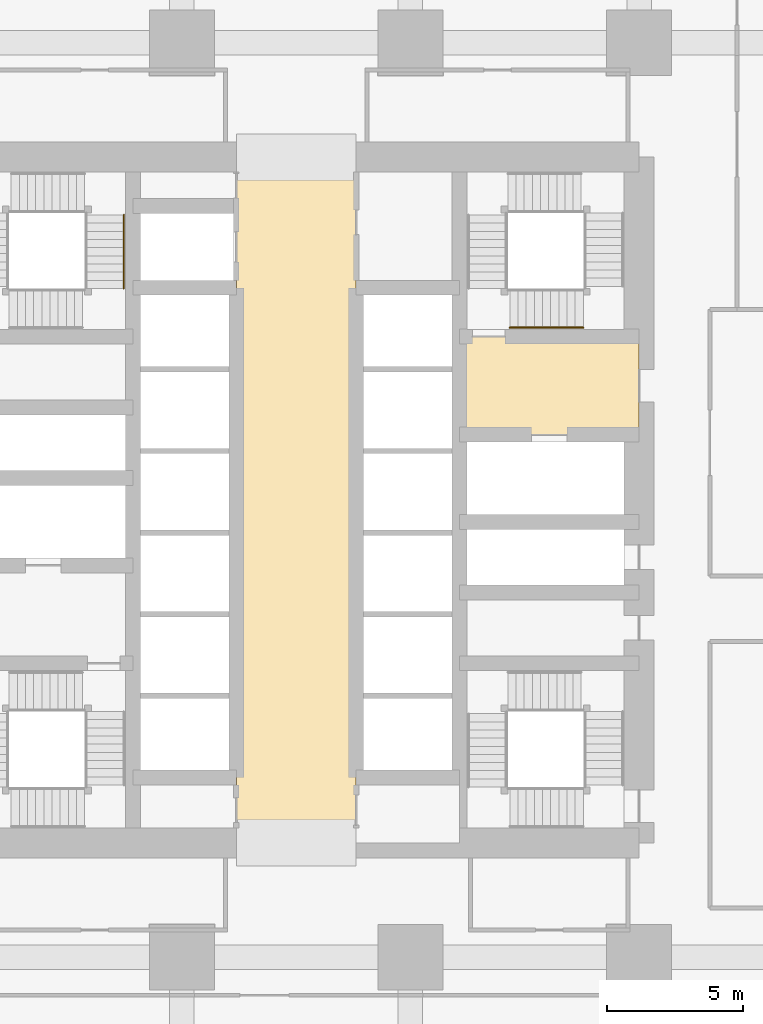
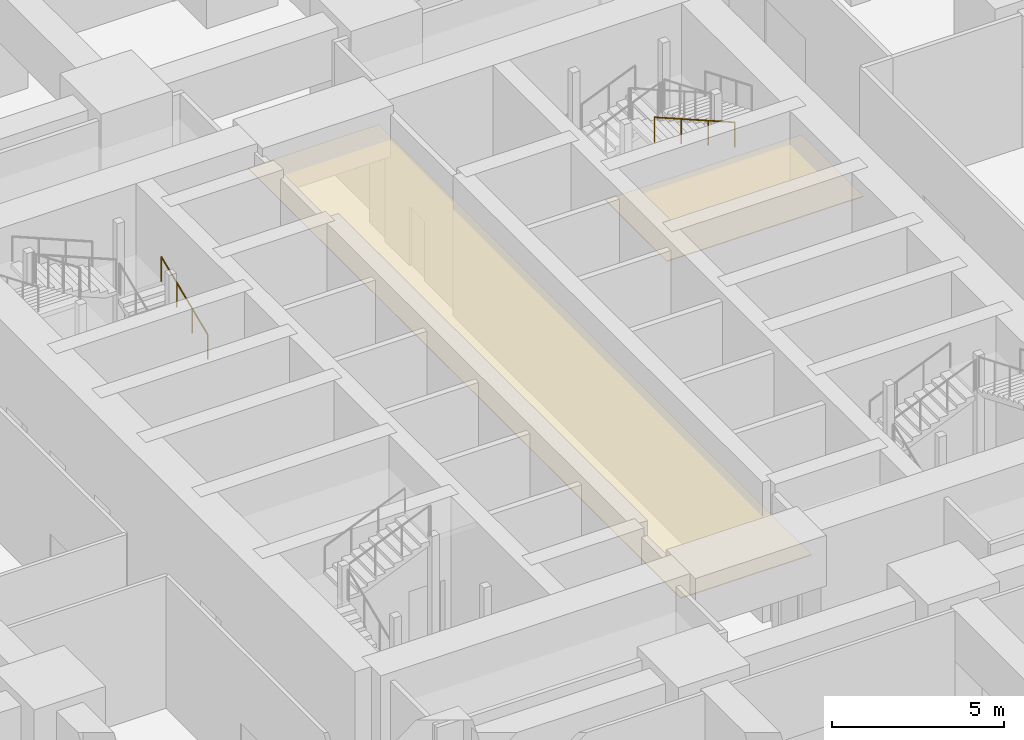
# One storey, part 47 of 49: 2 coverings, 2 railings.
"""IFC4 building model written with IfcOpenShell, lengths in metres."""

from ifc_helpers import new_model, si_unit, direction, frame, origin, origin_2d, place, context, subcontext, project, spatial, polyline, circle, outline, extrude, material, layer, layer_set, type_object, element, save


model = new_model("IFC4")

# Units and contexts
model_context = context("Model", 3, precision=1e-05, world=origin(), true_north=direction((0.0, 1.0)))
body_context = subcontext(model_context, "Body", "Model", "MODEL_VIEW")
ifc_project = project(units=[si_unit("LENGTHUNIT", "METRE"), si_unit("AREAUNIT", "SQUARE_METRE"), si_unit("VOLUMEUNIT", "CUBIC_METRE"), si_unit("PLANEANGLEUNIT", "RADIAN"), si_unit("MASSUNIT", "GRAM", prefix="KILO")], contexts=[model_context])

# Site, building, storey
site_placement = place(None, origin())
site = spatial("IfcSite", under=ifc_project, at=site_placement, CompositionType="ELEMENT")
building_placement = place(site_placement, origin())
building = spatial("IfcBuilding", under=site, at=building_placement, Name="Rekha Terrace Tower", CompositionType="ELEMENT")
storey_placement = place(building_placement, frame((0.0, 0.0, 5.39990234375)))
storey = spatial("IfcBuildingStorey", under=building, at=storey_placement, Name="L01", CompositionType="ELEMENT", Elevation=5.39990234375)

# Coverings
ifc_material_1 = material(Name="Powder-coated aluminium pan", Category="aluminium")
ifc_layer = layer(ifc_material_1, 0.030029296875)
ifc_layer_set = layer_set([ifc_layer], Name="Powder-coated aluminium pan")
covering_type = type_object("IfcCoveringType", Name="CL3 300x1200 metal pan ceiling", PredefinedType="CEILING", material=ifc_layer_set)
covering_1_placement = place(storey_placement, frame((0.0, 0.0, 3.77001953125)))
element("IfcCovering", 1, at=covering_1_placement, inside=storey, type_object=covering_type, Name="Ceiling L01-LOBBY", PredefinedType="CEILING", context=body_context, shape_type="SweptSolid", body=[
    extrude(outline(polyline([(40.0, 46.199951171875), (35.60009765625, 46.199951171875), (35.60009765625, 21.0), (40.0, 21.0), (40.0, 46.199951171875)])), origin(), (0.0, 0.0, 1.0), 0.030029296875),
])
covering_2_placement = place(storey_placement, frame((0.0, 0.0, 3.77001953125)))
element("IfcCovering", 2, at=covering_2_placement, inside=storey, type_object=covering_type, Name="Ceiling L01-FLB2", PredefinedType="CEILING", context=body_context, shape_type="SweptSolid", body=[
    extrude(outline(polyline([(50.39990234375, 39.60009765625), (43.800048828125, 39.60009765625), (43.800048828125, 36.0), (50.39990234375, 36.0), (50.39990234375, 39.60009765625)])), origin(), (0.0, 0.0, 1.0), 0.030029296875),
])

# Railings
ifc_material_2 = material(Name="Stainless steel tube", Category="steel")
railing_type = type_object("IfcRailingType", Name="HR1 900 stair handrail", PredefinedType="HANDRAIL", material=ifc_material_2)
railing_1_placement = place(storey_placement, frame((48.35009765625, 39.93505859375, 3.875)))
element("IfcRailing", 3, at=railing_1_placement, inside=storey, type_object=railing_type, Name="Handrail ST2 L01 flight 4", PredefinedType="HANDRAIL", context=body_context, shape_type="SweptSolid", body=[
    extrude(circle(Radius=0.02392578125, at=origin_2d()), frame((0.0, 0.0, 0.8759765625), z_axis=(-0.923086799901, 0.0, 0.38459167938), x_axis=(0.0, -1.0, 0.0)), (0.0, 0.0, 1.0), 2.92529296875),
    extrude(circle(Radius=0.02099609375, at=origin_2d()), origin(), (0.0, 0.0, 1.0), 0.851806640625),
    extrude(circle(Radius=0.02099609375, at=origin_2d()), frame((-0.900146484375, 0.0, 0.375)), (0.0, 0.0, 1.0), 0.851806640625),
    extrude(circle(Radius=0.02099609375, at=origin_2d()), frame((-1.800048828125, 0.0, 0.75)), (0.0, 0.0, 1.0), 0.851806640625),
    extrude(circle(Radius=0.02099609375, at=origin_2d()), frame((-2.7001953125, 0.0, 1.125)), (0.0, 0.0, 1.0), 0.851806640625),
])
railing_2_placement = place(storey_placement, frame((31.465087890625, 41.375, 1.375)))
element("IfcRailing", 4, at=railing_2_placement, inside=storey, type_object=railing_type, Name="Handrail ST4 L01 flight 2", PredefinedType="HANDRAIL", context=body_context, shape_type="SweptSolid", body=[
    extrude(circle(Radius=0.02392578125, at=origin_2d()), frame((0.0, 0.0, 0.8759765625), z_axis=(0.0, 0.923074453586, 0.384621311341), x_axis=(-1.0, 0.0, 0.0)), (0.0, 0.0, 1.0), 2.925048828125),
    extrude(circle(Radius=0.02099609375, at=origin_2d()), origin(), (0.0, 0.0, 1.0), 0.851806640625),
    extrude(circle(Radius=0.02099609375, at=origin_2d()), frame((0.0, 0.89990234375, 0.375)), (0.0, 0.0, 1.0), 0.851806640625),
    extrude(circle(Radius=0.02099609375, at=origin_2d()), frame((0.0, 1.800048828125, 0.75)), (0.0, 0.0, 1.0), 0.851806640625),
    extrude(circle(Radius=0.02099609375, at=origin_2d()), frame((0.0, 2.699951171875, 1.125)), (0.0, 0.0, 1.0), 0.851806640625),
])

save(model, "model.ifc")
